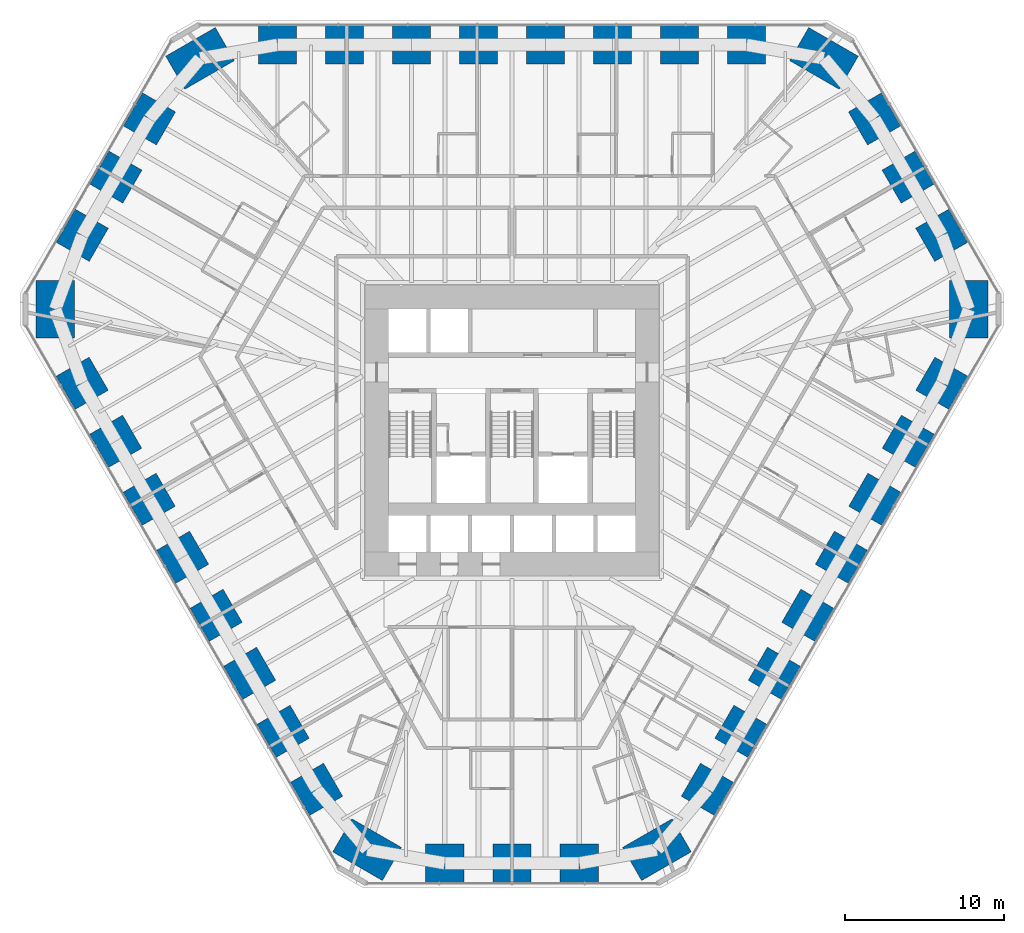
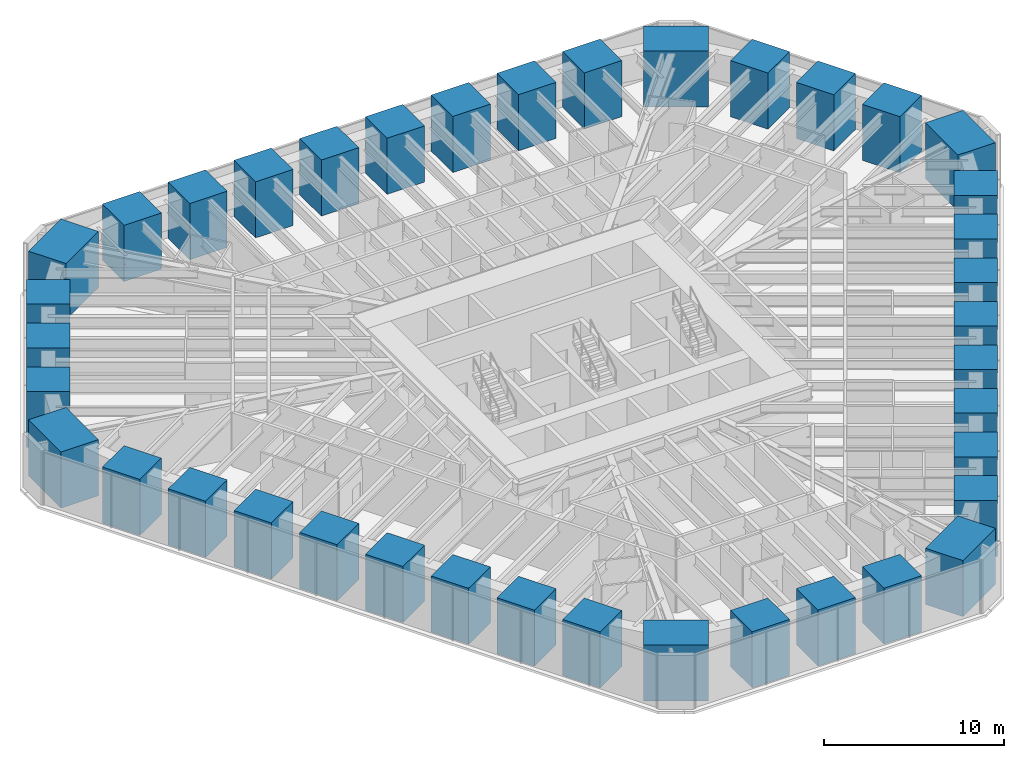
# One storey, part 1 of 17: 39 columns.
"""IFC4 building model written with IfcOpenShell, lengths in metres."""

from ifc_helpers import new_model, si_unit, direction, frame, origin, origin_2d, place, context, subcontext, project, spatial, rectangle, extrude, material, material_profile, profile_set, type_object, element, save


model = new_model("IFC4")

# Units and contexts
model_context = context("Model", 3, precision=1e-05, world=origin(), true_north=direction((0.0, 1.0)))
body_context = subcontext(model_context, "Body", "Model", "MODEL_VIEW")
ifc_project = project(units=[si_unit("LENGTHUNIT", "METRE"), si_unit("AREAUNIT", "SQUARE_METRE"), si_unit("VOLUMEUNIT", "CUBIC_METRE"), si_unit("PLANEANGLEUNIT", "RADIAN"), si_unit("MASSUNIT", "GRAM", prefix="KILO")], contexts=[model_context])

# Site, building, storey
site_placement = place(None, origin())
site = spatial("IfcSite", under=ifc_project, at=site_placement, CompositionType="ELEMENT")
building_placement = place(site_placement, origin())
building = spatial("IfcBuilding", under=site, at=building_placement, Name="Sandreach Pilgrim Tower", CompositionType="ELEMENT")
storey_placement = place(building_placement, frame((0.0, 0.0, 34.39990234375)))
storey = spatial("IfcBuildingStorey", under=building, at=storey_placement, Name="L07", CompositionType="ELEMENT", Elevation=34.39990234375)

# Columns
ifc_material_1 = material(Name="Concrete 10000 psi", Category="concrete")
ifc_material_profile_1 = material_profile(ifc_material_1, rectangle(XDim=2.39990234375, YDim=2.39990234375, at=origin_2d()), Name="RC2400X2400")
ifc_profile_set_1 = profile_set([ifc_material_profile_1], Name="Concrete 10000 psi")
column_type_1 = type_object("IfcColumnType", Name="Tube column RC2400X2400", PredefinedType="COLUMN", material=ifc_profile_set_1)
for number, where, z_axis, x_axis, name in (
    (1, (-14.734619140625, 22.688720703125, 0.0), (0.0, 0.0, 1.0), (0.0, 1.0, 0.0), "COL L07 T01"),
    (2, (-10.52490234375, 22.688720703125, 0.0), (0.0, 0.0, 1.0), (0.0, 1.0, 0.0), "COL L07 T02"),
    (3, (-6.31494140625, 22.688720703125, 0.0), (0.0, 0.0, 1.0), (0.0, 1.0, 0.0), "COL L07 T03"),
    (4, (-2.10498046875, 22.688720703125, 0.0), (0.0, 0.0, 1.0), (0.0, 1.0, 0.0), "COL L07 T04"),
    (5, (2.10498046875, 22.688720703125, 0.0), (0.0, 0.0, 1.0), (0.0, 1.0, 0.0), "COL L07 T05"),
    (6, (6.31494140625, 22.688720703125, 0.0), (0.0, 0.0, 1.0), (0.0, 1.0, 0.0), "COL L07 T06"),
    (7, (10.52490234375, 22.688720703125, 0.0), (0.0, 0.0, 1.0), (0.0, 1.0, 0.0), "COL L07 T07"),
    (8, (14.734619140625, 22.688720703125, 0.0), (0.0, 0.0, 1.0), (0.0, 1.0, 0.0), "COL L07 T08"),
    (9, (22.787841796875, 18.031982421875, 0.0), (0.0, 0.0, 1.0), (0.866025403784, 0.5, 0.0), "COL L07 T10"),
    (10, (24.89892578125, 14.37548828125, 0.0), (0.0, 0.0, 1.0), (0.866025403784, 0.5, 0.0), "COL L07 T11"),
    (11, (27.01025390625, 10.71875, 0.0), (0.0, 0.0, 1.0), (0.866025403784, 0.5, 0.0), "COL L07 T12"),
    (12, (27.016357421875, 1.416259765625, 0.0), (0.0, 0.0, 1.0), (0.866025403784, -0.5, 0.0), "COL L07 T14"),
    (13, (24.911376953125, -2.229736328125, 0.0), (0.0, 0.0, 1.0), (0.866025403784, -0.5, 0.0), "COL L07 T15"),
    (14, (22.806396484375, -5.87548828125, 0.0), (0.0, 0.0, 1.0), (0.866025403784, -0.5, 0.0), "COL L07 T16"),
    (15, (20.701416015625, -9.521484375, 0.0), (0.0, 0.0, 1.0), (0.866025403784, -0.5, 0.0), "COL L07 T17"),
    (16, (18.596435546875, -13.167236328125, 0.0), (0.0, 0.0, 1.0), (0.866025403784, -0.5, 0.0), "COL L07 T18"),
    (17, (16.491455078125, -16.813232421875, 0.0), (0.0, 0.0, 1.0), (0.866025403784, -0.5, 0.0), "COL L07 T19"),
    (18, (14.38671875, -20.458984375, 0.0), (0.0, 0.0, 1.0), (0.866025403784, -0.5, 0.0), "COL L07 T20"),
    (19, (12.28173828125, -24.10498046875, 0.0), (0.0, 0.0, 1.0), (0.866025403784, -0.5, 0.0), "COL L07 T21"),
    (20, (4.222412109375, -28.7509765625, 0.0), (0.0, 0.0, 1.0), (0.0, -1.0, 0.0), "COL L07 T23"),
    (21, (0.0, -28.7509765625, 0.0), (0.0, 0.0, 1.0), (0.0, -1.0, 0.0), "COL L07 T24"),
    (22, (-4.222412109375, -28.7509765625, 0.0), (0.0, 0.0, 1.0), (0.0, -1.0, 0.0), "COL L07 T25"),
    (23, (-12.28173828125, -24.10498046875, 0.0), (0.0, 0.0, 1.0), (-0.866025403784, -0.5, 0.0), "COL L07 T27"),
    (24, (-14.38671875, -20.458984375, 0.0), (0.0, 0.0, 1.0), (-0.866025403784, -0.5, 0.0), "COL L07 T28"),
    (25, (-16.491455078125, -16.813232421875, 0.0), (0.0, 0.0, 1.0), (-0.866025403784, -0.5, 0.0), "COL L07 T29"),
    (26, (-18.596435546875, -13.167236328125, 0.0), (0.0, 0.0, 1.0), (-0.866025403784, -0.5, 0.0), "COL L07 T30"),
    (27, (-20.701416015625, -9.521484375, 0.0), (0.0, 0.0, 1.0), (-0.866025403784, -0.5, 0.0), "COL L07 T31"),
    (28, (-22.806396484375, -5.87548828125, 0.0), (0.0, 0.0, 1.0), (-0.866025403784, -0.5, 0.0), "COL L07 T32"),
    (29, (-24.911376953125, -2.229736328125, 0.0), (0.0, 0.0, 1.0), (-0.866025403784, -0.5, 0.0), "COL L07 T33"),
    (30, (-27.016357421875, 1.416259765625, 0.0), (0.0, 0.0, 1.0), (-0.866025403784, -0.5, 0.0), "COL L07 T34"),
    (31, (-27.01025390625, 10.71875, 0.0), (0.0, 0.0, 1.0), (-0.866025403784, 0.5, 0.0), "COL L07 T36"),
    (32, (-24.89892578125, 14.37548828125, 0.0), (0.0, 0.0, 1.0), (-0.866025403784, 0.5, 0.0), "COL L07 T37"),
    (33, (-22.787841796875, 18.031982421875, 0.0), (0.0, 0.0, 1.0), (-0.866025403784, 0.5, 0.0), "COL L07 T38"),
):
    element("IfcColumn", number, at=place(storey_placement, frame(where, z_axis=z_axis, x_axis=x_axis)), inside=storey, type_object=column_type_1, Name=name, PredefinedType="COLUMN", context=body_context, shape_type="SweptSolid", body=[
        extrude(rectangle(XDim=2.39990234375, YDim=2.39990234375, at=origin_2d()), origin(), (0.0, 0.0, 1.0), 3.800048828125),
    ])
ifc_material_2 = material(Name="Concrete 10000 psi", Category="concrete")
ifc_material_profile_2 = material_profile(ifc_material_2, rectangle(XDim=2.39990234375, YDim=3.60009765625, at=origin_2d()), Name="RC2400X3600")
ifc_profile_set_2 = profile_set([ifc_material_profile_2], Name="Concrete 10000 psi")
column_type_2 = type_object("IfcColumnType", Name="Tube corner pier RC2400X3600", PredefinedType="COLUMN", material=ifc_profile_set_2)
for number, where, z_axis, x_axis, name in (
    (34, (19.6064453125, 21.834716796875, 0.0), (0.0, 0.0, 1.0), (0.5, 0.866025403784, 0.0), "COL L07 T09"),
    (35, (28.712646484375, 6.062255859375, 0.0), (0.0, 0.0, 1.0), (1.0, 0.0, 0.0), "COL L07 T13"),
    (36, (9.1064453125, -27.89697265625, 0.0), (0.0, 0.0, 1.0), (0.5, -0.866025403784, 0.0), "COL L07 T22"),
    (37, (-9.1064453125, -27.89697265625, 0.0), (0.0, 0.0, 1.0), (-0.5, -0.866025403784, 0.0), "COL L07 T26"),
    (38, (-28.712646484375, 6.062255859375, 0.0), (0.0, 0.0, 1.0), (-1.0, 0.0, 0.0), "COL L07 T35"),
    (39, (-19.6064453125, 21.834716796875, 0.0), (0.0, 0.0, 1.0), (-0.5, 0.866025403784, 0.0), "COL L07 T39"),
):
    element("IfcColumn", number, at=place(storey_placement, frame(where, z_axis=z_axis, x_axis=x_axis)), inside=storey, type_object=column_type_2, Name=name, PredefinedType="COLUMN", context=body_context, shape_type="SweptSolid", body=[
        extrude(rectangle(XDim=2.39990234375, YDim=3.60009765625, at=origin_2d()), origin(), (0.0, 0.0, 1.0), 3.800048828125),
    ])

save(model, "model.ifc")
